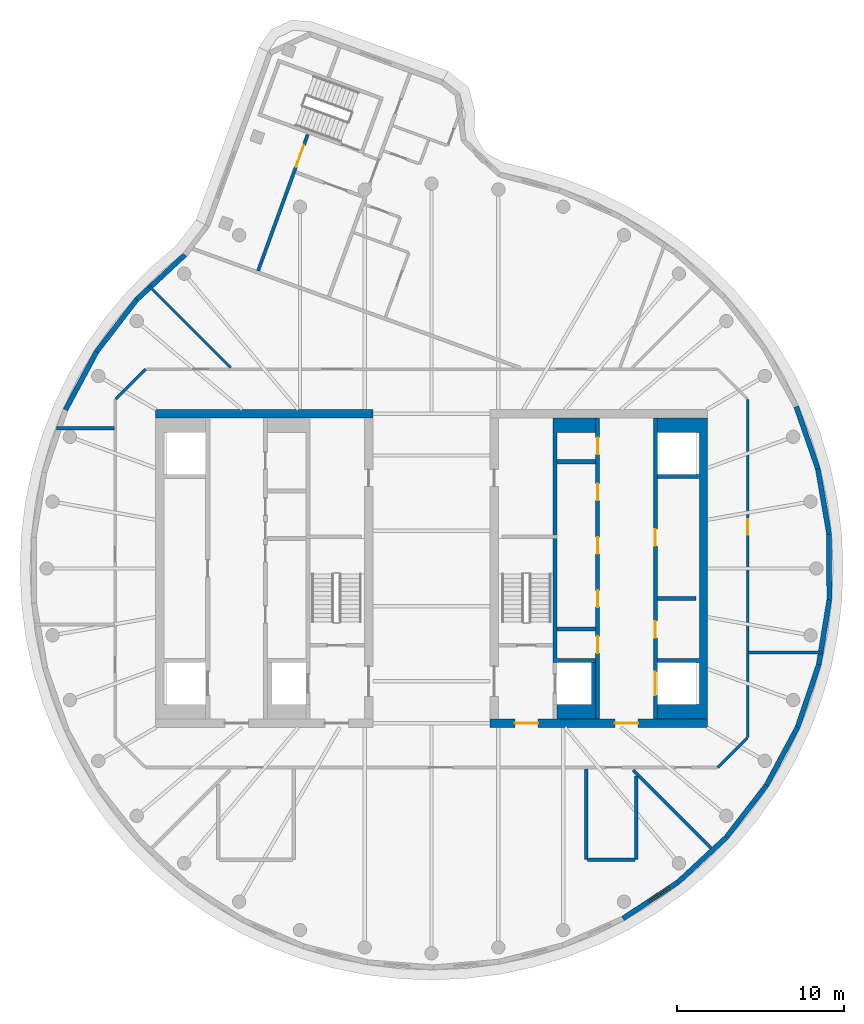
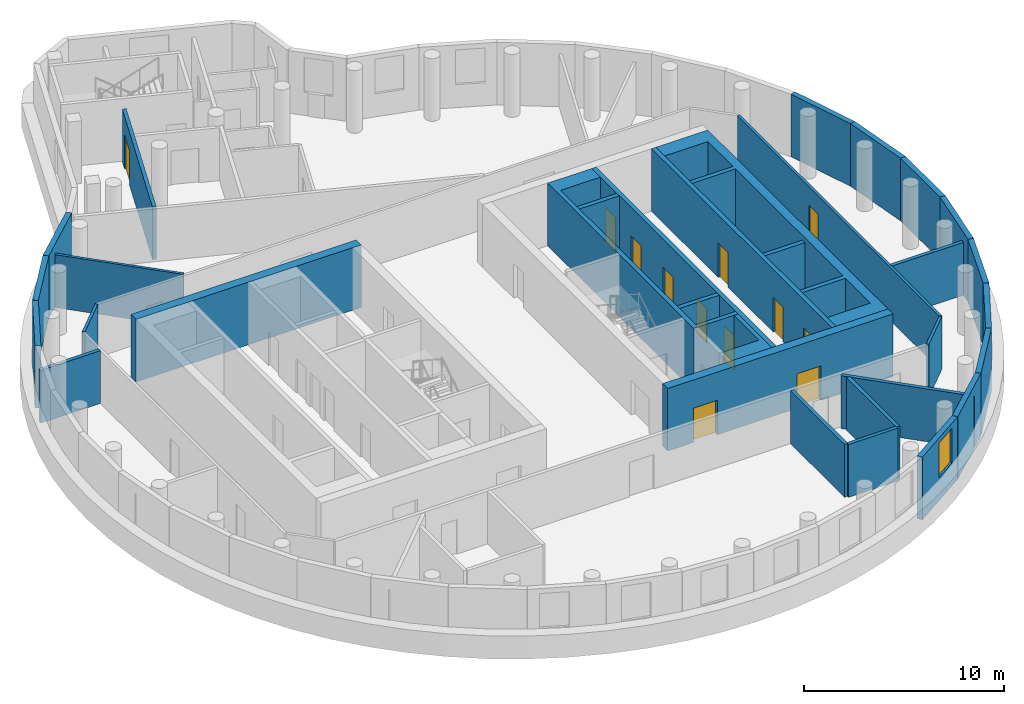
# One storey, part 4 of 7: 33 walls, 12 doors, 1 window, 13 openings.
"""IFC4 building model written with IfcOpenShell, lengths in metres."""

from ifc_helpers import new_model, si_unit, direction, frame, frame_2d, origin, place, context, subcontext, project, spatial, polyline, rectangle, outline, extrude, material, layer, layer_set, type_object, element, fill, save


model = new_model("IFC4")

# Units and contexts
model_context = context("Model", 3, precision=1e-05, world=origin(), true_north=direction((0.0, 1.0)))
body_context = subcontext(model_context, "Body", "Model", "MODEL_VIEW")
ifc_project = project(units=[si_unit("LENGTHUNIT", "METRE"), si_unit("AREAUNIT", "SQUARE_METRE"), si_unit("VOLUMEUNIT", "CUBIC_METRE"), si_unit("PLANEANGLEUNIT", "RADIAN"), si_unit("MASSUNIT", "GRAM", prefix="KILO")], contexts=[model_context])

# Site, building, storey
site_placement = place(None, origin())
site = spatial("IfcSite", under=ifc_project, at=site_placement, CompositionType="ELEMENT")
building_placement = place(site_placement, origin())
building = spatial("IfcBuilding", under=site, at=building_placement, Name="Tamarind Cross Interchange Tower", CompositionType="ELEMENT")
storey_placement = place(building_placement, frame((0.0, 0.0, 305.39990234375)))
storey = spatial("IfcBuildingStorey", under=building, at=storey_placement, Name="L75", CompositionType="ELEMENT", Elevation=305.39990234375)

# Wall
ifc_material_1 = material(Name="Concrete C50", Category="concrete")
ifc_layer_1 = layer(ifc_material_1, 0.5)
ifc_layer_set_1 = layer_set([ifc_layer_1], Name="Concrete C50")
wall_type_1 = type_object("IfcWallType", Name="Core wall 500 mm Concrete C50", PredefinedType="SHEAR", material=ifc_layer_set_1)
wall_1_placement = place(storey_placement, frame((-16.5, 9.25, 0.0), z_axis=(0.0, 0.0, 1.0), x_axis=(1.0, 0.0, 0.0)))
element("IfcWall", 1, at=wall_1_placement, inside=storey, type_object=wall_type_1, Name="Core wall CWL-L75-W-NE", PredefinedType="SHEAR", context=body_context, shape_type="SweptSolid", body=[
    extrude(rectangle(XDim=13.0, YDim=0.5, at=frame_2d((6.5, 0.0))), origin(), (0.0, 0.0, 1.0), 3.820068359375),
])

# Wall, openings, doors
wall_2_placement = place(storey_placement, frame((16.5, -9.25, 0.0), z_axis=(0.0, 0.0, 1.0), x_axis=(-1.0, 0.0, 0.0)))
wall_2 = element("IfcWall", 2, at=wall_2_placement, inside=storey, type_object=wall_type_1, Name="Core wall CWL-L75-E-S", PredefinedType="SHEAR", context=body_context, shape_type="SweptSolid", body=[
    extrude(rectangle(XDim=13.0, YDim=0.5, at=frame_2d((6.5, 0.0))), origin(), (0.0, 0.0, 1.0), 3.820068359375),
])
opening_1_placement = place(wall_2_placement, frame((4.14990234375, 0.0, 0.0)))
opening_1 = element("IfcOpeningElement", 3, at=opening_1_placement, cuts=wall_2, Name="Opening DCE1", PredefinedType="OPENING", context=body_context, shape_type="SweptSolid", body=[
    extrude(rectangle(XDim=1.39990234375, YDim=2.10009765625, at=frame_2d((0.699951171875, 1.050048828125))), frame((0.0, 0.260009765625, 0.0), z_axis=(0.0, -1.0, 0.0), x_axis=(1.0, 0.0, 0.0)), (0.0, 0.0, 1.0), 0.52001953125),
])
opening_2_placement = place(wall_2_placement, frame((10.125, 0.0, 0.0)))
opening_2 = element("IfcOpeningElement", 4, at=opening_2_placement, cuts=wall_2, Name="Opening DCEF", PredefinedType="OPENING", context=body_context, shape_type="SweptSolid", body=[
    extrude(rectangle(XDim=1.39990234375, YDim=2.10009765625, at=frame_2d((0.699951171875, 1.050048828125))), frame((0.0, 0.260009765625, 0.0), z_axis=(0.0, -1.0, 0.0), x_axis=(1.0, 0.0, 0.0)), (0.0, 0.0, 1.0), 0.52001953125),
])
ifc_material_2 = material(Name="Steel, fire-resisting", Category="steel")
door_type_1 = type_object("IfcDoorType", Name="Core fire door 1400 x 2100 FD90", OperationType="SINGLE_SWING_LEFT", PredefinedType="DOOR", material=ifc_material_2)
door_1_placement = place(opening_1_placement, origin())
door_1 = element("IfcDoor", 5, at=door_1_placement, inside=storey, type_object=door_type_1, Name="L75 lift lobby door", OperationType="SINGLE_SWING_LEFT", OverallHeight=2.10009765625, OverallWidth=1.39990234375, PredefinedType="DOOR", context=body_context, shape_type="SweptSolid", body=[
    extrude(rectangle(XDim=1.39990234375, YDim=2.10009765625, at=frame_2d((0.699951171875, 1.050048828125))), frame((0.0, 0.02490234375, 0.0), z_axis=(0.0, -1.0, 0.0), x_axis=(1.0, 0.0, 0.0)), (0.0, 0.0, 1.0), 0.050048828125),
])
fill(opening_1, door_1)
door_2_placement = place(opening_2_placement, origin())
door_2 = element("IfcDoor", 6, at=door_2_placement, inside=storey, type_object=door_type_1, Name="L75 firefighting lobby end door", OperationType="SINGLE_SWING_LEFT", OverallHeight=2.10009765625, OverallWidth=1.39990234375, PredefinedType="DOOR", context=body_context, shape_type="SweptSolid", body=[
    extrude(rectangle(XDim=1.39990234375, YDim=2.10009765625, at=frame_2d((0.699951171875, 1.050048828125))), frame((0.0, 0.02490234375, 0.0), z_axis=(0.0, -1.0, 0.0), x_axis=(1.0, 0.0, 0.0)), (0.0, 0.0, 1.0), 0.050048828125),
])
fill(opening_2, door_2)

# Walls
wall_3_placement = place(storey_placement, origin())
element("IfcWall", 7, at=wall_3_placement, inside=storey, type_object=wall_type_1, Name="Core wall CWL-L75-E-A", PredefinedType="SHEAR", context=body_context, shape_type="SweptSolid", body=[
    extrude(outline(polyline([(13.5, -8.125), (13.5, -9.0), (16.0, -9.0), (16.5, -9.0), (16.5, 9.0), (16.0, 9.0), (13.5, 9.0), (13.5, 8.125), (16.0, 8.125), (16.0, 5.625), (13.5, 5.625), (13.5, 5.375), (16.0, 5.375), (16.0, -5.375), (13.5, -5.375), (13.5, -5.625), (16.0, -5.625), (16.0, -8.125), (13.5, -8.125)])), origin(), (0.0, 0.0, 1.0), 3.820068359375),
])
ifc_layer_2 = layer(ifc_material_1, 0.25)
ifc_layer_set_2 = layer_set([ifc_layer_2], Name="Concrete C50")
wall_type_2 = type_object("IfcWallType", Name="Core web wall 250 mm Concrete C50", PredefinedType="SHEAR", material=ifc_layer_set_2)
wall_4_placement = place(storey_placement, origin())
element("IfcWall", 8, at=wall_4_placement, inside=storey, type_object=wall_type_2, Name="Core wall CWL-L75-E-BN", PredefinedType="SHEAR", context=body_context, shape_type="SweptSolid", body=[
    extrude(outline(polyline([(9.800048828125, -5.625), (9.800048828125, -5.375), (7.5, -5.375), (7.5, 8.125), (9.800048828125, 8.125), (9.800048828125, 9.0), (7.5, 9.0), (7.25, 9.0), (7.25, -5.625), (7.5, -5.625), (9.800048828125, -5.625)])), origin(), (0.0, 0.0, 1.0), 3.820068359375),
])
wall_5_placement = place(storey_placement, origin())
element("IfcWall", 9, at=wall_5_placement, inside=storey, type_object=wall_type_2, Name="Core wall CWL-L75-E-BS", PredefinedType="SHEAR", context=body_context, shape_type="SweptSolid", body=[
    extrude(outline(polyline([(7.5, -8.125), (7.5, -9.0), (9.800048828125, -9.0), (9.800048828125, -8.125), (9.800048828125, -5.625), (9.550048828125, -5.625), (9.550048828125, -8.125), (7.5, -8.125)])), origin(), (0.0, 0.0, 1.0), 3.820068359375),
])

# Wall, openings, doors
wall_6_placement = place(storey_placement, frame((13.375, -9.0, 0.0), z_axis=(0.0, 0.0, 1.0), x_axis=(0.0, 1.0, 0.0)))
wall_6 = element("IfcWall", 10, at=wall_6_placement, inside=storey, type_object=wall_type_2, Name="Core wall CWL-L75-E-LA", PredefinedType="SHEAR", context=body_context, shape_type="SweptSolid", body=[
    extrude(rectangle(XDim=18.0, YDim=0.25, at=frame_2d((9.0, 0.0))), origin(), (0.0, 0.0, 1.0), 3.820068359375),
])
opening_3_placement = place(wall_6_placement, frame((1.425048828125, 0.0, 0.0)))
opening_3 = element("IfcOpeningElement", 11, at=opening_3_placement, cuts=wall_6, Name="Opening LD13L75", PredefinedType="OPENING", context=body_context, shape_type="SweptSolid", body=[
    extrude(rectangle(XDim=1.39990234375, YDim=2.10009765625, at=frame_2d((0.699951171875, 1.050048828125))), frame((0.0, 0.135009765625, 0.0), z_axis=(0.0, -1.0, 0.0), x_axis=(1.0, 0.0, 0.0)), (0.0, 0.0, 1.0), 0.27001953125),
])
opening_4_placement = place(wall_6_placement, frame((4.85400390625, 0.0, 0.0)))
opening_4 = element("IfcOpeningElement", 12, at=opening_4_placement, cuts=wall_6, Name="Opening DCE9", PredefinedType="OPENING", context=body_context, shape_type="SweptSolid", body=[
    extrude(rectangle(XDim=1.0, YDim=2.10009765625, at=frame_2d((0.5, 1.050048828125))), frame((0.0, 0.135009765625, 0.0), z_axis=(0.0, -1.0, 0.0), x_axis=(1.0, 0.0, 0.0)), (0.0, 0.0, 1.0), 0.27001953125),
])
opening_5_placement = place(wall_6_placement, frame((10.35400390625, 0.0, 0.0)))
opening_5 = element("IfcOpeningElement", 13, at=opening_5_placement, cuts=wall_6, Name="Opening DCE10", PredefinedType="OPENING", context=body_context, shape_type="SweptSolid", body=[
    extrude(rectangle(XDim=1.0, YDim=2.10009765625, at=frame_2d((0.5, 1.050048828125))), frame((0.0, 0.135009765625, 0.0), z_axis=(0.0, -1.0, 0.0), x_axis=(1.0, 0.0, 0.0)), (0.0, 0.0, 1.0), 0.27001953125),
])
door_type_2 = type_object("IfcDoorType", Name="Core fire door 1000 x 2100 FD90", OperationType="SINGLE_SWING_LEFT", PredefinedType="DOOR", material=ifc_material_2)
door_3_placement = place(opening_4_placement, origin())
door_3 = element("IfcDoor", 14, at=door_3_placement, inside=storey, type_object=door_type_2, Name="L75 Plant room door", OperationType="SINGLE_SWING_LEFT", OverallHeight=2.10009765625, OverallWidth=1.0, PredefinedType="DOOR", context=body_context, shape_type="SweptSolid", body=[
    extrude(rectangle(XDim=1.0, YDim=2.10009765625, at=frame_2d((0.5, 1.050048828125))), frame((0.0, 0.02490234375, 0.0), z_axis=(0.0, -1.0, 0.0), x_axis=(1.0, 0.0, 0.0)), (0.0, 0.0, 1.0), 0.050048828125),
])
fill(opening_4, door_3)
door_4_placement = place(opening_5_placement, origin())
door_4 = element("IfcDoor", 15, at=door_4_placement, inside=storey, type_object=door_type_2, Name="L75 Storage room door", OperationType="SINGLE_SWING_LEFT", OverallHeight=2.10009765625, OverallWidth=1.0, PredefinedType="DOOR", context=body_context, shape_type="SweptSolid", body=[
    extrude(rectangle(XDim=1.0, YDim=2.10009765625, at=frame_2d((0.5, 1.050048828125))), frame((0.0, 0.02490234375, 0.0), z_axis=(0.0, -1.0, 0.0), x_axis=(1.0, 0.0, 0.0)), (0.0, 0.0, 1.0), 0.050048828125),
])
fill(opening_5, door_4)
ifc_material_3 = material(Name="Stainless steel panel", Category="steel")
door_type_3 = type_object("IfcDoorType", Name="Lift landing door 1400 x 2100 E 120", OperationType="SLIDING_TO_LEFT", PredefinedType="DOOR", material=ifc_material_3)
door_5_placement = place(opening_3_placement, origin())
door_5 = element("IfcDoor", 16, at=door_5_placement, inside=storey, type_object=door_type_3, Name="L75 landing door LF13", OperationType="SLIDING_TO_LEFT", OverallHeight=2.10009765625, OverallWidth=1.39990234375, PredefinedType="DOOR", context=body_context, shape_type="SweptSolid", body=[
    extrude(rectangle(XDim=1.39990234375, YDim=2.10009765625, at=frame_2d((0.699951171875, 1.050048828125))), frame((0.0, 0.02490234375, 0.0), z_axis=(0.0, -1.0, 0.0), x_axis=(1.0, 0.0, 0.0)), (0.0, 0.0, 1.0), 0.050048828125),
])
fill(opening_3, door_5)

wall_7_placement = place(storey_placement, frame((9.925048828125, -9.0, 0.0), z_axis=(0.0, 0.0, 1.0), x_axis=(0.0, 1.0, 0.0)))
wall_7 = element("IfcWall", 17, at=wall_7_placement, inside=storey, type_object=wall_type_2, Name="Core wall CWL-L75-E-LB", PredefinedType="SHEAR", context=body_context, shape_type="SweptSolid", body=[
    extrude(rectangle(XDim=18.0, YDim=0.25, at=frame_2d((9.0, 0.0))), origin(), (0.0, 0.0, 1.0), 3.820068359375),
])
opening_6_placement = place(wall_7_placement, frame((3.9375, 0.0, 0.0)))
opening_6 = element("IfcOpeningElement", 18, at=opening_6_placement, cuts=wall_7, Name="Opening DCE21", PredefinedType="OPENING", context=body_context, shape_type="SweptSolid", body=[
    extrude(rectangle(XDim=1.0, YDim=2.10009765625, at=frame_2d((0.5, 1.050048828125))), frame((0.0, 0.135009765625, 0.0), z_axis=(0.0, -1.0, 0.0), x_axis=(1.0, 0.0, 0.0)), (0.0, 0.0, 1.0), 0.27001953125),
])
opening_7_placement = place(wall_7_placement, frame((6.6875, 0.0, 0.0)))
opening_7 = element("IfcOpeningElement", 19, at=opening_7_placement, cuts=wall_7, Name="Opening DCE22", PredefinedType="OPENING", context=body_context, shape_type="SweptSolid", body=[
    extrude(rectangle(XDim=1.0, YDim=2.10009765625, at=frame_2d((0.5, 1.050048828125))), frame((0.0, 0.135009765625, 0.0), z_axis=(0.0, -1.0, 0.0), x_axis=(1.0, 0.0, 0.0)), (0.0, 0.0, 1.0), 0.27001953125),
])
opening_8_placement = place(wall_7_placement, frame((9.875, 0.0, 0.0)))
opening_8 = element("IfcOpeningElement", 20, at=opening_8_placement, cuts=wall_7, Name="Opening DCE21", PredefinedType="OPENING", context=body_context, shape_type="SweptSolid", body=[
    extrude(rectangle(XDim=1.0, YDim=2.10009765625, at=frame_2d((0.5, 1.050048828125))), frame((0.0, 0.135009765625, 0.0), z_axis=(0.0, -1.0, 0.0), x_axis=(1.0, 0.0, 0.0)), (0.0, 0.0, 1.0), 0.27001953125),
])
opening_9_placement = place(wall_7_placement, frame((13.0625, 0.0, 0.0)))
opening_9 = element("IfcOpeningElement", 21, at=opening_9_placement, cuts=wall_7, Name="Opening DCE21", PredefinedType="OPENING", context=body_context, shape_type="SweptSolid", body=[
    extrude(rectangle(XDim=1.0, YDim=2.10009765625, at=frame_2d((0.5, 1.050048828125))), frame((0.0, 0.135009765625, 0.0), z_axis=(0.0, -1.0, 0.0), x_axis=(1.0, 0.0, 0.0)), (0.0, 0.0, 1.0), 0.27001953125),
])
opening_10_placement = place(wall_7_placement, frame((15.8125, 0.0, 0.0)))
opening_10 = element("IfcOpeningElement", 22, at=opening_10_placement, cuts=wall_7, Name="Opening DCE22", PredefinedType="OPENING", context=body_context, shape_type="SweptSolid", body=[
    extrude(rectangle(XDim=1.0, YDim=2.10009765625, at=frame_2d((0.5, 1.050048828125))), frame((0.0, 0.135009765625, 0.0), z_axis=(0.0, -1.0, 0.0), x_axis=(1.0, 0.0, 0.0)), (0.0, 0.0, 1.0), 0.27001953125),
])
door_6_placement = place(opening_6_placement, origin())
door_6 = element("IfcDoor", 23, at=door_6_placement, inside=storey, type_object=door_type_2, Name="L75 Battery room door", OperationType="SINGLE_SWING_LEFT", OverallHeight=2.10009765625, OverallWidth=1.0, PredefinedType="DOOR", context=body_context, shape_type="SweptSolid", body=[
    extrude(rectangle(XDim=1.0, YDim=2.10009765625, at=frame_2d((0.5, 1.050048828125))), frame((0.0, 0.02490234375, 0.0), z_axis=(0.0, -1.0, 0.0), x_axis=(1.0, 0.0, 0.0)), (0.0, 0.0, 1.0), 0.050048828125),
])
fill(opening_6, door_6)
door_7_placement = place(opening_7_placement, origin())
door_7 = element("IfcDoor", 24, at=door_7_placement, inside=storey, type_object=door_type_2, Name="L75 Switch room door", OperationType="SINGLE_SWING_LEFT", OverallHeight=2.10009765625, OverallWidth=1.0, PredefinedType="DOOR", context=body_context, shape_type="SweptSolid", body=[
    extrude(rectangle(XDim=1.0, YDim=2.10009765625, at=frame_2d((0.5, 1.050048828125))), frame((0.0, 0.02490234375, 0.0), z_axis=(0.0, -1.0, 0.0), x_axis=(1.0, 0.0, 0.0)), (0.0, 0.0, 1.0), 0.050048828125),
])
fill(opening_7, door_7)
door_8_placement = place(opening_8_placement, origin())
door_8 = element("IfcDoor", 25, at=door_8_placement, inside=storey, type_object=door_type_2, Name="L75 Switch room door", OperationType="SINGLE_SWING_LEFT", OverallHeight=2.10009765625, OverallWidth=1.0, PredefinedType="DOOR", context=body_context, shape_type="SweptSolid", body=[
    extrude(rectangle(XDim=1.0, YDim=2.10009765625, at=frame_2d((0.5, 1.050048828125))), frame((0.0, 0.02490234375, 0.0), z_axis=(0.0, -1.0, 0.0), x_axis=(1.0, 0.0, 0.0)), (0.0, 0.0, 1.0), 0.050048828125),
])
fill(opening_8, door_8)
door_9_placement = place(opening_9_placement, origin())
door_9 = element("IfcDoor", 26, at=door_9_placement, inside=storey, type_object=door_type_2, Name="L75 Storage room door", OperationType="SINGLE_SWING_LEFT", OverallHeight=2.10009765625, OverallWidth=1.0, PredefinedType="DOOR", context=body_context, shape_type="SweptSolid", body=[
    extrude(rectangle(XDim=1.0, YDim=2.10009765625, at=frame_2d((0.5, 1.050048828125))), frame((0.0, 0.02490234375, 0.0), z_axis=(0.0, -1.0, 0.0), x_axis=(1.0, 0.0, 0.0)), (0.0, 0.0, 1.0), 0.050048828125),
])
fill(opening_9, door_9)
door_10_placement = place(opening_10_placement, origin())
door_10 = element("IfcDoor", 27, at=door_10_placement, inside=storey, type_object=door_type_2, Name="L75 Battery room door", OperationType="SINGLE_SWING_LEFT", OverallHeight=2.10009765625, OverallWidth=1.0, PredefinedType="DOOR", context=body_context, shape_type="SweptSolid", body=[
    extrude(rectangle(XDim=1.0, YDim=2.10009765625, at=frame_2d((0.5, 1.050048828125))), frame((0.0, 0.02490234375, 0.0), z_axis=(0.0, -1.0, 0.0), x_axis=(1.0, 0.0, 0.0)), (0.0, 0.0, 1.0), 0.050048828125),
])
fill(opening_10, door_10)

# Walls
ifc_material_4 = material(Name="Gypsum board partition on steel studs", Category="steel")
ifc_layer_3 = layer(ifc_material_4, 0.14990234375)
ifc_layer_set_3 = layer_set([ifc_layer_3], Name="Gypsum board partition on steel studs")
wall_type_3 = type_object("IfcWallType", Name="Partition 150 mm EI 120", PredefinedType="PARTITIONING", material=ifc_layer_set_3)
wall_8_placement = place(storey_placement, frame((-16.921142578125, 16.921142578125, 0.0), z_axis=(0.0, 0.0, 1.0), x_axis=(0.707106781187, -0.707106781187, 0.0)))
element("IfcWall", 28, at=wall_8_placement, inside=storey, type_object=wall_type_3, Name="Partition L75-002", PredefinedType="PARTITIONING", context=body_context, shape_type="SweptSolid", body=[
    extrude(rectangle(XDim=6.946044921875, YDim=0.14990234375, at=frame_2d((3.47314453125, 0.0))), origin(), (0.0, 0.0, 1.0), 3.22021484375),
])
for number, where, z_axis, x_axis, name in (
    (29, (-18.87158203125, 10.12841796875, 0.0), (0.0, 0.0, 1.0), (0.707106781187, 0.707106781187, 0.0), "Partition L75-019"),
    (30, (17.10009765625, -11.89990234375, 0.0), (0.0, 0.0, 1.0), (0.707106781187, 0.707106781187, 0.0), "Partition L75-022"),
):
    element("IfcWall", number, at=place(storey_placement, frame(where, z_axis=z_axis, x_axis=x_axis)), inside=storey, type_object=wall_type_3, Name=name, PredefinedType="PARTITIONING", context=body_context, shape_type="SweptSolid", body=[
        extrude(rectangle(XDim=2.50537109375, YDim=0.14990234375, at=frame_2d((1.252685546875, 0.0))), origin(), (0.0, 0.0, 1.0), 3.22021484375),
    ])

# Wall, opening, door
wall_9_placement = place(storey_placement, frame((18.89990234375, -10.10009765625, 0.0), z_axis=(0.0, 0.0, 1.0), x_axis=(0.0, 1.0, 0.0)))
wall_9 = element("IfcWall", 31, at=wall_9_placement, inside=storey, type_object=wall_type_3, Name="Partition L75-037", PredefinedType="PARTITIONING", context=body_context, shape_type="SweptSolid", body=[
    extrude(rectangle(XDim=20.2001953125, YDim=0.14990234375, at=frame_2d((10.10009765625, 0.0))), origin(), (0.0, 0.0, 1.0), 3.22021484375),
])
opening_11_placement = place(wall_9_placement, frame((12.1279296875, 0.0, 0.0)))
opening_11 = element("IfcOpeningElement", 32, at=opening_11_placement, cuts=wall_9, Name="Opening D18", PredefinedType="OPENING", context=body_context, shape_type="SweptSolid", body=[
    extrude(rectangle(XDim=0.89990234375, YDim=2.10009765625, at=frame_2d((0.449951171875, 1.050048828125))), frame((0.0, 0.0849609375, 0.0), z_axis=(0.0, -1.0, 0.0), x_axis=(1.0, 0.0, 0.0)), (0.0, 0.0, 1.0), 0.169921875),
])
ifc_material_5 = material(Name="Fire-resisting door set")
door_type_4 = type_object("IfcDoorType", Name="Interior door 900 x 2100 FD60S", OperationType="SINGLE_SWING_LEFT", PredefinedType="DOOR", material=ifc_material_5)
door_11_placement = place(opening_11_placement, frame((0.89990234375, 0.0, 0.0), z_axis=(0.0, 0.0, 1.0), x_axis=(-1.0, 0.0, 0.0)))
door_11 = element("IfcDoor", 33, at=door_11_placement, inside=storey, type_object=door_type_4, Name="Door D18", OperationType="SINGLE_SWING_RIGHT", OverallHeight=2.10009765625, OverallWidth=0.89990234375, PredefinedType="DOOR", context=body_context, shape_type="SweptSolid", body=[
    extrude(rectangle(XDim=0.89990234375, YDim=2.10009765625, at=frame_2d((0.449951171875, 1.050048828125))), frame((0.0, 0.02490234375, 0.0), z_axis=(0.0, -1.0, 0.0), x_axis=(1.0, 0.0, 0.0)), (0.0, 0.0, 1.0), 0.050048828125),
])
fill(opening_11, door_11)

# Walls
ifc_layer_4 = layer(ifc_material_4, 0.199951171875)
ifc_layer_set_4 = layer_set([ifc_layer_4], Name="Gypsum board partition on steel studs")
wall_type_4 = type_object("IfcWallType", Name="Partition 200 mm EI 180", PredefinedType="PARTITIONING", material=ifc_layer_set_4)
wall_10_placement = place(storey_placement, frame((12.052001953125, -12.052001953125, 0.0), z_axis=(0.0, 0.0, 1.0), x_axis=(0.707106781187, -0.707106781187, 0.0)))
element("IfcWall", 34, at=wall_10_placement, inside=storey, type_object=wall_type_4, Name="Partition L75-003", PredefinedType="PARTITIONING", context=body_context, shape_type="SweptSolid", body=[
    extrude(rectangle(XDim=6.8857421875, YDim=0.199951171875, at=frame_2d((3.44287109375, 0.0))), origin(), (0.0, 0.0, 1.0), 3.22021484375),
])
wall_11_placement = place(storey_placement, frame((-22.41259765625, 8.37109375, 0.0), z_axis=(0.0, 0.0, 1.0), x_axis=(1.0, 0.0, 0.0)))
element("IfcWall", 35, at=wall_11_placement, inside=storey, type_object=wall_type_4, Name="Partition L75-013", PredefinedType="PARTITIONING", context=body_context, shape_type="SweptSolid", body=[
    extrude(rectangle(XDim=3.45751953125, YDim=0.199951171875, at=frame_2d((1.728759765625, 0.0))), origin(), (0.0, 0.0, 1.0), 3.22021484375),
])
wall_12_placement = place(storey_placement, frame((9.321044921875, -17.39990234375, 0.0), z_axis=(0.0, 0.0, 1.0), x_axis=(1.0, 0.0, 0.0)))
element("IfcWall", 36, at=wall_12_placement, inside=storey, type_object=wall_type_4, Name="Partition L75-017", PredefinedType="PARTITIONING", context=body_context, shape_type="SweptSolid", body=[
    extrude(rectangle(XDim=2.83984375, YDim=0.199951171875, at=frame_2d((1.419921875, 0.0))), origin(), (0.0, 0.0, 1.0), 3.22021484375),
])
wall_13_placement = place(storey_placement, frame((18.955078125, -5.02197265625, 0.0), z_axis=(0.0, 0.0, 1.0), x_axis=(1.0, 0.0, 0.0)))
element("IfcWall", 37, at=wall_13_placement, inside=storey, type_object=wall_type_4, Name="Partition L75-018", PredefinedType="PARTITIONING", context=body_context, shape_type="SweptSolid", body=[
    extrude(rectangle(XDim=4.455810546875, YDim=0.199951171875, at=frame_2d((2.22802734375, 0.0))), origin(), (0.0, 0.0, 1.0), 3.22021484375),
])

# Wall, opening, door
wall_14_placement = place(storey_placement, frame((-10.36474609375, 17.791015625, 0.0), z_axis=(0.0, 0.0, 1.0), x_axis=(0.342032792834, 0.939688016645, 0.0)))
wall_14 = element("IfcWall", 38, at=wall_14_placement, inside=storey, type_object=wall_type_4, Name="Partition L75-023", PredefinedType="PARTITIONING", context=body_context, shape_type="SweptSolid", body=[
    extrude(rectangle(XDim=8.65966796875, YDim=0.199951171875, at=frame_2d((4.329833984375, 0.0))), origin(), (0.0, 0.0, 1.0), 3.22021484375),
])
opening_12_placement = place(wall_14_placement, frame((6.60009765625, 0.0, 0.0)))
opening_12 = element("IfcOpeningElement", 39, at=opening_12_placement, cuts=wall_14, Name="Opening D11", PredefinedType="OPENING", context=body_context, shape_type="SweptSolid", body=[
    extrude(rectangle(XDim=1.39990234375, YDim=2.10009765625, at=frame_2d((0.699951171875, 1.050048828125))), frame((0.0, 0.10986328125, 0.0), z_axis=(0.0, -1.0, 0.0), x_axis=(1.0, 0.0, 0.0)), (0.0, 0.0, 1.0), 0.219970703125),
])
door_type_5 = type_object("IfcDoorType", Name="Interior door 1400 x 2100 FD120S", OperationType="DOUBLE_DOOR_SINGLE_SWING", PredefinedType="DOOR", material=ifc_material_5)
door_12_placement = place(opening_12_placement, origin())
door_12 = element("IfcDoor", 40, at=door_12_placement, inside=storey, type_object=door_type_5, Name="Door D11", OperationType="DOUBLE_DOOR_SINGLE_SWING", OverallHeight=2.10009765625, OverallWidth=1.39990234375, PredefinedType="DOOR", context=body_context, shape_type="SweptSolid", body=[
    extrude(rectangle(XDim=1.39990234375, YDim=2.10009765625, at=frame_2d((0.699951171875, 1.050048828125))), frame((0.0, 0.02490234375, 0.0), z_axis=(0.0, -1.0, 0.0), x_axis=(1.0, 0.0, 0.0)), (0.0, 0.0, 1.0), 0.050048828125),
])
fill(opening_12, door_12)

# Walls
wall_15_placement = place(storey_placement, frame((9.240966796875, -17.39990234375, 0.0), z_axis=(0.0, 0.0, 1.0), x_axis=(0.0, 1.0, 0.0)))
element("IfcWall", 41, at=wall_15_placement, inside=storey, type_object=wall_type_4, Name="Partition L75-035", PredefinedType="PARTITIONING", context=body_context, shape_type="SweptSolid", body=[
    extrude(rectangle(XDim=5.419921875, YDim=0.199951171875, at=frame_2d((2.7099609375, 0.0))), origin(), (0.0, 0.0, 1.0), 3.22021484375),
])
wall_16_placement = place(storey_placement, frame((12.240966796875, -17.39990234375, 0.0), z_axis=(0.0, 0.0, 1.0), x_axis=(0.0, 1.0, 0.0)))
element("IfcWall", 42, at=wall_16_placement, inside=storey, type_object=wall_type_4, Name="Partition L75-036", PredefinedType="PARTITIONING", context=body_context, shape_type="SweptSolid", body=[
    extrude(rectangle(XDim=4.9990234375, YDim=0.199951171875, at=frame_2d((2.49951171875, 0.0))), origin(), (0.0, 0.0, 1.0), 3.22021484375),
])
ifc_material_6 = material(Name="Precast concrete C40", Category="concrete")
ifc_layer_5 = layer(ifc_material_6, 0.300048828125)
ifc_layer_set_5 = layer_set([ifc_layer_5], Name="Precast concrete C40")
wall_type_5 = type_object("IfcWallType", Name="Plant louvre wall", PredefinedType="SOLIDWALL", material=ifc_layer_set_5)
wall_17_placement = place(storey_placement, frame((-14.738525390625, 18.7451171875, 0.0), z_axis=(0.0, 0.0, 1.0), x_axis=(-0.73266715928, -0.680587124263, 0.0)))
element("IfcWall", 43, at=wall_17_placement, inside=storey, type_object=wall_type_5, Name="EXW-L75-02-01", PredefinedType="SOLIDWALL", context=body_context, shape_type="SweptSolid", body=[
    extrude(rectangle(XDim=3.923583984375, YDim=0.300048828125, at=frame_2d((1.9619140625, 0.0))), origin(), (0.0, 0.0, 1.0), 3.820068359375),
])
for number, where, z_axis, x_axis, name in (
    (44, (-17.61328125, 16.07470703125, 0.0), (0.0, 0.0, 1.0), (-0.610785688376, -0.79179596038, 0.0), "EXW-L75-02-02"),
    (45, (-20.018798828125, 12.956298828125, 0.0), (0.0, 0.0, 1.0), (-0.472180126088, -0.881502086513, 0.0), "EXW-L75-02-03"),
):
    element("IfcWall", number, at=place(storey_placement, frame(where, z_axis=z_axis, x_axis=x_axis)), inside=storey, type_object=wall_type_5, Name=name, PredefinedType="SOLIDWALL", context=body_context, shape_type="SweptSolid", body=[
        extrude(rectangle(XDim=3.9384765625, YDim=0.300048828125, at=frame_2d((1.96923828125, 0.0))), origin(), (0.0, 0.0, 1.0), 3.820068359375),
    ])

# Wall, opening, window
wall_18_placement = place(storey_placement, frame((11.439453125, -20.9228515625, 0.0), z_axis=(0.0, 0.0, 1.0), x_axis=(0.834786621205, 0.550573607302, 0.0)))
wall_18 = element("IfcWall", 46, at=wall_18_placement, inside=storey, type_object=wall_type_5, Name="EXW-L75-02-19", PredefinedType="SOLIDWALL", context=body_context, shape_type="SweptSolid", body=[
    extrude(rectangle(XDim=3.9384765625, YDim=0.300048828125, at=frame_2d((1.96923828125, 0.0))), origin(), (0.0, 0.0, 1.0), 3.820068359375),
])
opening_13_placement = place(wall_18_placement, frame((1.853271484375, 0.0, 1.39990234375)))
opening_13 = element("IfcOpeningElement", 47, at=opening_13_placement, cuts=wall_18, Name="Opening W2", PredefinedType="OPENING", context=body_context, shape_type="SweptSolid", body=[
    extrude(rectangle(XDim=1.485107421875, YDim=2.1201171875, at=frame_2d((0.74267578125, 1.06005859375))), frame((0.0, 0.159912109375, 0.0), z_axis=(0.0, -1.0, 0.0), x_axis=(1.0, 0.0, 0.0)), (0.0, 0.0, 1.0), 0.320068359375),
])
ifc_material_7 = material(Name="Aluminium louvre", Category="aluminium")
window_type = type_object("IfcWindowType", Name="Plant louvre bank", PartitioningType="SINGLE_PANEL", PredefinedType="WINDOW", material=ifc_material_7)
window_placement = place(opening_13_placement, origin())
window = element("IfcWindow", 48, at=window_placement, inside=storey, type_object=window_type, Name="WIN-L75-02-19", OverallHeight=2.1201171875, OverallWidth=1.485107421875, PartitioningType="SINGLE_PANEL", PredefinedType="WINDOW", context=body_context, shape_type="SweptSolid", body=[
    extrude(rectangle(XDim=1.485107421875, YDim=2.1201171875, at=frame_2d((0.74267578125, 1.06005859375))), frame((0.0, 0.030029296875, 0.0), z_axis=(0.0, -1.0, 0.0), x_axis=(1.0, 0.0, 0.0)), (0.0, 0.0, 1.0), 0.06005859375),
])
fill(opening_13, window)

# Walls
wall_19_placement = place(storey_placement, frame((14.727294921875, -18.75439453125, 0.0), z_axis=(0.0, 0.0, 1.0), x_axis=(0.732813362883, 0.680429698926, 0.0)))
element("IfcWall", 49, at=wall_19_placement, inside=storey, type_object=wall_type_5, Name="EXW-L75-02-20", PredefinedType="SOLIDWALL", context=body_context, shape_type="SweptSolid", body=[
    extrude(rectangle(XDim=3.938232421875, YDim=0.300048828125, at=frame_2d((1.96923828125, 0.0))), origin(), (0.0, 0.0, 1.0), 3.820068359375),
])
for number, where, z_axis, x_axis, name in (
    (50, (17.61328125, -16.07470703125, 0.0), (0.0, 0.0, 1.0), (0.610785688376, 0.79179596038, 0.0), "EXW-L75-02-21"),
    (51, (20.018798828125, -12.956298828125, 0.0), (0.0, 0.0, 1.0), (0.472180126088, 0.881502086513, 0.0), "EXW-L75-02-22"),
    (52, (21.87841796875, -9.484619140625, 0.0), (0.0, 0.0, 1.0), (0.320613287718, 0.947210177172, 0.0), "EXW-L75-02-23"),
):
    element("IfcWall", number, at=place(storey_placement, frame(where, z_axis=z_axis, x_axis=x_axis)), inside=storey, type_object=wall_type_5, Name=name, PredefinedType="SOLIDWALL", context=body_context, shape_type="SweptSolid", body=[
        extrude(rectangle(XDim=3.9384765625, YDim=0.300048828125, at=frame_2d((1.96923828125, 0.0))), origin(), (0.0, 0.0, 1.0), 3.820068359375),
    ])
wall_20_placement = place(storey_placement, frame((23.14111328125, -5.754150390625, 0.0), z_axis=(0.0, 0.0, 1.0), x_axis=(0.160376439891, 0.987055924215, 0.0)))
element("IfcWall", 53, at=wall_20_placement, inside=storey, type_object=wall_type_5, Name="EXW-L75-02-24", PredefinedType="SOLIDWALL", context=body_context, shape_type="SweptSolid", body=[
    extrude(rectangle(XDim=3.938232421875, YDim=0.300048828125, at=frame_2d((1.96923828125, 0.0))), origin(), (0.0, 0.0, 1.0), 3.820068359375),
])
wall_21_placement = place(storey_placement, frame((23.772705078125, -1.866943359375, 0.0), z_axis=(0.0, 0.0, 1.0), x_axis=(-0.004339160737, 0.999990585798, 0.0)))
element("IfcWall", 54, at=wall_21_placement, inside=storey, type_object=wall_type_5, Name="EXW-L75-02-25", PredefinedType="SOLIDWALL", context=body_context, shape_type="SweptSolid", body=[
    extrude(rectangle(XDim=3.9384765625, YDim=0.300048828125, at=frame_2d((1.96923828125, 0.0))), origin(), (0.0, 0.0, 1.0), 3.820068359375),
])
wall_22_placement = place(storey_placement, frame((23.755615234375, 2.071533203125, 0.0), z_axis=(0.0, 0.0, 1.0), x_axis=(-0.168810670753, 0.985648495885, 0.0)))
element("IfcWall", 55, at=wall_22_placement, inside=storey, type_object=wall_type_5, Name="EXW-L75-02-26", PredefinedType="SOLIDWALL", context=body_context, shape_type="SweptSolid", body=[
    extrude(rectangle(XDim=3.93798828125, YDim=0.300048828125, at=frame_2d((1.968994140625, 0.0))), origin(), (0.0, 0.0, 1.0), 3.820068359375),
])
wall_23_placement = place(storey_placement, frame((23.0908203125, 5.953125, 0.0), z_axis=(0.0, 0.0, 1.0), x_axis=(-0.328789892836, 0.944403095277, 0.0)))
element("IfcWall", 56, at=wall_23_placement, inside=storey, type_object=wall_type_5, Name="EXW-L75-02-27", PredefinedType="SOLIDWALL", context=body_context, shape_type="SweptSolid", body=[
    extrude(rectangle(XDim=3.9384765625, YDim=0.300048828125, at=frame_2d((1.96923828125, 0.0))), origin(), (0.0, 0.0, 1.0), 3.820068359375),
])
ifc_material_8 = material(Name="Concrete C40", Category="concrete")
ifc_layer_6 = layer(ifc_material_8, 0.25)
ifc_layer_set_6 = layer_set([ifc_layer_6], Name="Concrete C40")
wall_type_6 = type_object("IfcWallType", Name="Shaft and lobby wall 250 mm Concrete C40", PredefinedType="PARTITIONING", material=ifc_layer_set_6)
for number, where, z_axis, x_axis, name in (
    (57, (15.800048828125, -1.7919921875, 0.0), (0.0, 0.0, 1.0), (-1.0, 0.0, 0.0), "Shaft wall CWL-L75-E-FPA1"),
    (58, (9.800048828125, -3.625, 0.0), (0.0, 0.0, 1.0), (-1.0, 0.0, 0.0), "Shaft wall CWL-L75-E-FPB1"),
    (59, (9.800048828125, 6.375, 0.0), (0.0, 0.0, 1.0), (-1.0, 0.0, 0.0), "Shaft wall CWL-L75-E-FPB4"),
):
    element("IfcWall", number, at=place(storey_placement, frame(where, z_axis=z_axis, x_axis=x_axis)), inside=storey, type_object=wall_type_6, Name=name, PredefinedType="PARTITIONING", context=body_context, shape_type="SweptSolid", body=[
        extrude(rectangle(XDim=2.300048828125, YDim=0.25, at=frame_2d((1.14990234375, 0.0))), origin(), (0.0, 0.0, 1.0), 3.820068359375),
    ])

save(model, "model.ifc")
